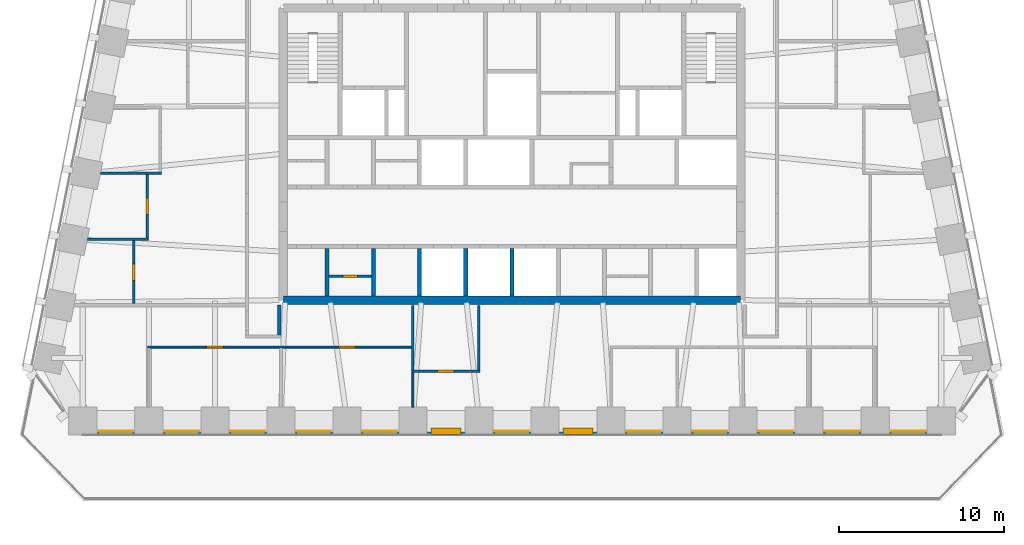
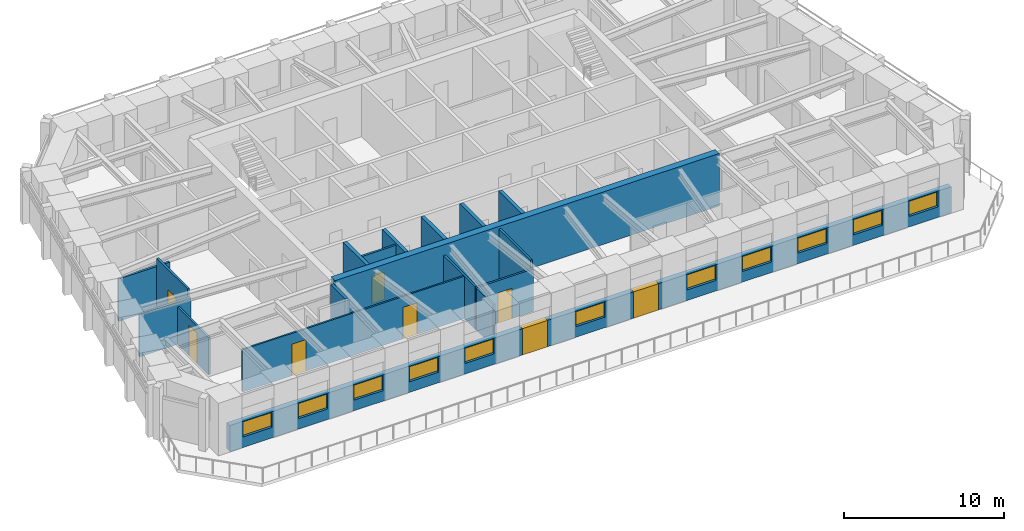
# One storey, part 4 of 10: 18 walls, 11 windows, 8 doors, 19 openings.
"""IFC4 building model written with IfcOpenShell, lengths in metres."""

from ifc_helpers import new_model, si_unit, direction, frame, frame_2d, origin, place, context, subcontext, project, spatial, rectangle, extrude, material, layer, layer_set, type_object, element, fill, save


model = new_model("IFC4")

# Units and contexts
model_context = context("Model", 3, precision=1e-05, world=origin(), true_north=direction((0.0, 1.0)))
body_context = subcontext(model_context, "Body", "Model", "MODEL_VIEW")
ifc_project = project(units=[si_unit("LENGTHUNIT", "METRE"), si_unit("AREAUNIT", "SQUARE_METRE"), si_unit("VOLUMEUNIT", "CUBIC_METRE"), si_unit("PLANEANGLEUNIT", "RADIAN"), si_unit("MASSUNIT", "GRAM", prefix="KILO")], contexts=[model_context])

# Site, building, storey
site_placement = place(None, origin())
site = spatial("IfcSite", under=ifc_project, at=site_placement, CompositionType="ELEMENT")
building_placement = place(site_placement, origin())
building = spatial("IfcBuilding", under=site, at=building_placement, Name="Isbrekke Arena Tower", CompositionType="ELEMENT")
storey_placement = place(building_placement, frame((0.0, 0.0, 296.0)))
storey = spatial("IfcBuildingStorey", under=building, at=storey_placement, Name="L69", CompositionType="ELEMENT", Elevation=296.0)

# Walls
ifc_material_1 = material(Name="Concrete B55 (C55/67)", Category="concrete")
ifc_layer_1 = layer(ifc_material_1, 0.5)
ifc_layer_set_1 = layer_set([ifc_layer_1], Name="CW5 CORE WALL 500")
wall_type_1 = type_object("IfcWallType", Name="CW5 CORE WALL 500", PredefinedType="SHEAR", material=ifc_layer_set_1)
wall_1_placement = place(storey_placement, frame((-13.85009765625, 6.14990234375, 0.0), z_axis=(0.0, 0.0, 1.0), x_axis=(1.0, 0.0, 0.0)))
element("IfcWall", 1, at=wall_1_placement, inside=storey, type_object=wall_type_1, Name="Core wall S L69", PredefinedType="SHEAR", context=body_context, shape_type="SweptSolid", body=[
    extrude(rectangle(XDim=27.7001953125, YDim=0.5, at=frame_2d((13.85009765625, 0.0))), origin(), (0.0, 0.0, 1.0), 4.0),
])
ifc_material_2 = material(Name="Concrete B45 (C45/55)", Category="concrete")
ifc_layer_2 = layer(ifc_material_2, 0.25)
ifc_layer_set_2 = layer_set([ifc_layer_2], Name="CW6 SHAFT WALL 250")
wall_type_2 = type_object("IfcWallType", Name="CW6 SHAFT WALL 250", PredefinedType="SHEAR", material=ifc_layer_set_2)
for number, where, z_axis, x_axis, name in (
    (2, (-11.199951171875, 6.39990234375, 0.0), (0.0, 0.0, 1.0), (0.0, 1.0, 0.0), "Core wall SS01 L69"),
    (3, (-8.39990234375, 6.39990234375, 0.0), (0.0, 0.0, 1.0), (0.0, 1.0, 0.0), "Core wall SS02 L69"),
    (4, (-5.60009765625, 6.39990234375, 0.0), (0.0, 0.0, 1.0), (0.0, 1.0, 0.0), "Core wall SS03 L69"),
    (5, (-2.800048828125, 6.39990234375, 0.0), (0.0, 0.0, 1.0), (0.0, 1.0, 0.0), "Core wall SS04 L69"),
    (6, (0.0, 6.39990234375, 0.0), (0.0, 0.0, 1.0), (0.0, 1.0, 0.0), "Core wall SS05 L69"),
):
    element("IfcWall", number, at=place(storey_placement, frame(where, z_axis=z_axis, x_axis=x_axis)), inside=storey, type_object=wall_type_2, Name=name, PredefinedType="SHEAR", context=body_context, shape_type="SweptSolid", body=[
        extrude(rectangle(XDim=2.875, YDim=0.25, at=frame_2d((1.4375, 0.0))), origin(), (0.0, 0.0, 1.0), 4.0),
    ])

# Wall, openings, doors, windows
ifc_material_3 = material(Name="Copper cladding on insulated framing", Category="metal")
ifc_layer_3 = layer(ifc_material_3, 0.39990234375)
ifc_layer_set_3 = layer_set([ifc_layer_3], Name="EW2 COPPER-CLAD WALL 400")
wall_type_3 = type_object("IfcWallType", Name="EW2 COPPER-CLAD WALL 400", PredefinedType="SOLIDWALL", material=ifc_layer_set_3)
wall_2_placement = place(storey_placement, frame((-26.0, -1.800048828125, 0.0), z_axis=(0.0, 0.0, 1.0), x_axis=(1.0, 0.0, 0.0)))
wall_2 = element("IfcWall", 7, at=wall_2_placement, inside=storey, type_object=wall_type_3, Name="EW2 terrace wall L69", PredefinedType="SOLIDWALL", context=body_context, shape_type="SweptSolid", body=[
    extrude(rectangle(XDim=52.0, YDim=0.39990234375, at=frame_2d((26.0, 0.0))), origin(), (0.0, 0.0, 1.0), 2.0),
])
opening_1_placement = place(wall_2_placement, frame((0.949951171875, 0.0, 0.800048828125)))
opening_1 = element("IfcOpeningElement", 8, at=opening_1_placement, cuts=wall_2, Name="Opening WN1", PredefinedType="OPENING", context=body_context, shape_type="SweptSolid", body=[
    extrude(rectangle(XDim=2.10009765625, YDim=1.14990234375, at=frame_2d((1.050048828125, 0.574951171875))), frame((0.0, 0.21484375, 0.0), z_axis=(0.0, -1.0, 0.0), x_axis=(1.0, 0.0, 0.0)), (0.0, 0.0, 1.0), 0.4296875),
])
opening_2_placement = place(wall_2_placement, frame((4.949951171875, 0.0, 0.800048828125)))
opening_2 = element("IfcOpeningElement", 9, at=opening_2_placement, cuts=wall_2, Name="Opening WN1", PredefinedType="OPENING", context=body_context, shape_type="SweptSolid", body=[
    extrude(rectangle(XDim=2.10009765625, YDim=1.14990234375, at=frame_2d((1.050048828125, 0.574951171875))), frame((0.0, 0.21484375, 0.0), z_axis=(0.0, -1.0, 0.0), x_axis=(1.0, 0.0, 0.0)), (0.0, 0.0, 1.0), 0.4296875),
])
opening_3_placement = place(wall_2_placement, frame((8.949951171875, 0.0, 0.800048828125)))
opening_3 = element("IfcOpeningElement", 10, at=opening_3_placement, cuts=wall_2, Name="Opening WN1", PredefinedType="OPENING", context=body_context, shape_type="SweptSolid", body=[
    extrude(rectangle(XDim=2.10009765625, YDim=1.14990234375, at=frame_2d((1.050048828125, 0.574951171875))), frame((0.0, 0.21484375, 0.0), z_axis=(0.0, -1.0, 0.0), x_axis=(1.0, 0.0, 0.0)), (0.0, 0.0, 1.0), 0.4296875),
])
opening_4_placement = place(wall_2_placement, frame((12.949951171875, 0.0, 0.800048828125)))
opening_4 = element("IfcOpeningElement", 11, at=opening_4_placement, cuts=wall_2, Name="Opening WN1", PredefinedType="OPENING", context=body_context, shape_type="SweptSolid", body=[
    extrude(rectangle(XDim=2.10009765625, YDim=1.14990234375, at=frame_2d((1.050048828125, 0.574951171875))), frame((0.0, 0.21484375, 0.0), z_axis=(0.0, -1.0, 0.0), x_axis=(1.0, 0.0, 0.0)), (0.0, 0.0, 1.0), 0.4296875),
])
opening_5_placement = place(wall_2_placement, frame((16.949951171875, 0.0, 0.800048828125)))
opening_5 = element("IfcOpeningElement", 12, at=opening_5_placement, cuts=wall_2, Name="Opening WN1", PredefinedType="OPENING", context=body_context, shape_type="SweptSolid", body=[
    extrude(rectangle(XDim=2.10009765625, YDim=1.14990234375, at=frame_2d((1.050048828125, 0.574951171875))), frame((0.0, 0.21484375, 0.0), z_axis=(0.0, -1.0, 0.0), x_axis=(1.0, 0.0, 0.0)), (0.0, 0.0, 1.0), 0.4296875),
])
opening_6_placement = place(wall_2_placement, frame((21.10009765625, 0.0, 0.0)))
opening_6 = element("IfcOpeningElement", 13, at=opening_6_placement, cuts=wall_2, Name="Opening DT1", PredefinedType="OPENING", context=body_context, shape_type="SweptSolid", body=[
    extrude(rectangle(XDim=1.800048828125, YDim=2.0, at=frame_2d((0.89990234375, 1.0))), frame((0.0, 0.21484375, 0.0), z_axis=(0.0, -1.0, 0.0), x_axis=(1.0, 0.0, 0.0)), (0.0, 0.0, 1.0), 0.4296875),
])
opening_7_placement = place(wall_2_placement, frame((24.949951171875, 0.0, 0.800048828125)))
opening_7 = element("IfcOpeningElement", 14, at=opening_7_placement, cuts=wall_2, Name="Opening WN1", PredefinedType="OPENING", context=body_context, shape_type="SweptSolid", body=[
    extrude(rectangle(XDim=2.10009765625, YDim=1.14990234375, at=frame_2d((1.050048828125, 0.574951171875))), frame((0.0, 0.21484375, 0.0), z_axis=(0.0, -1.0, 0.0), x_axis=(1.0, 0.0, 0.0)), (0.0, 0.0, 1.0), 0.4296875),
])
opening_8_placement = place(wall_2_placement, frame((29.10009765625, 0.0, 0.0)))
opening_8 = element("IfcOpeningElement", 15, at=opening_8_placement, cuts=wall_2, Name="Opening DT1", PredefinedType="OPENING", context=body_context, shape_type="SweptSolid", body=[
    extrude(rectangle(XDim=1.800048828125, YDim=2.0, at=frame_2d((0.89990234375, 1.0))), frame((0.0, 0.21484375, 0.0), z_axis=(0.0, -1.0, 0.0), x_axis=(1.0, 0.0, 0.0)), (0.0, 0.0, 1.0), 0.4296875),
])
opening_9_placement = place(wall_2_placement, frame((32.949951171875, 0.0, 0.800048828125)))
opening_9 = element("IfcOpeningElement", 16, at=opening_9_placement, cuts=wall_2, Name="Opening WN1", PredefinedType="OPENING", context=body_context, shape_type="SweptSolid", body=[
    extrude(rectangle(XDim=2.10009765625, YDim=1.14990234375, at=frame_2d((1.050048828125, 0.574951171875))), frame((0.0, 0.21484375, 0.0), z_axis=(0.0, -1.0, 0.0), x_axis=(1.0, 0.0, 0.0)), (0.0, 0.0, 1.0), 0.4296875),
])
opening_10_placement = place(wall_2_placement, frame((36.949951171875, 0.0, 0.800048828125)))
opening_10 = element("IfcOpeningElement", 17, at=opening_10_placement, cuts=wall_2, Name="Opening WN1", PredefinedType="OPENING", context=body_context, shape_type="SweptSolid", body=[
    extrude(rectangle(XDim=2.10009765625, YDim=1.14990234375, at=frame_2d((1.050048828125, 0.574951171875))), frame((0.0, 0.21484375, 0.0), z_axis=(0.0, -1.0, 0.0), x_axis=(1.0, 0.0, 0.0)), (0.0, 0.0, 1.0), 0.4296875),
])
opening_11_placement = place(wall_2_placement, frame((40.949951171875, 0.0, 0.800048828125)))
opening_11 = element("IfcOpeningElement", 18, at=opening_11_placement, cuts=wall_2, Name="Opening WN1", PredefinedType="OPENING", context=body_context, shape_type="SweptSolid", body=[
    extrude(rectangle(XDim=2.10009765625, YDim=1.14990234375, at=frame_2d((1.050048828125, 0.574951171875))), frame((0.0, 0.21484375, 0.0), z_axis=(0.0, -1.0, 0.0), x_axis=(1.0, 0.0, 0.0)), (0.0, 0.0, 1.0), 0.4296875),
])
opening_12_placement = place(wall_2_placement, frame((44.949951171875, 0.0, 0.800048828125)))
opening_12 = element("IfcOpeningElement", 19, at=opening_12_placement, cuts=wall_2, Name="Opening WN1", PredefinedType="OPENING", context=body_context, shape_type="SweptSolid", body=[
    extrude(rectangle(XDim=2.10009765625, YDim=1.14990234375, at=frame_2d((1.050048828125, 0.574951171875))), frame((0.0, 0.21484375, 0.0), z_axis=(0.0, -1.0, 0.0), x_axis=(1.0, 0.0, 0.0)), (0.0, 0.0, 1.0), 0.4296875),
])
opening_13_placement = place(wall_2_placement, frame((48.949951171875, 0.0, 0.800048828125)))
opening_13 = element("IfcOpeningElement", 20, at=opening_13_placement, cuts=wall_2, Name="Opening WN1", PredefinedType="OPENING", context=body_context, shape_type="SweptSolid", body=[
    extrude(rectangle(XDim=2.10009765625, YDim=1.14990234375, at=frame_2d((1.050048828125, 0.574951171875))), frame((0.0, 0.21484375, 0.0), z_axis=(0.0, -1.0, 0.0), x_axis=(1.0, 0.0, 0.0)), (0.0, 0.0, 1.0), 0.4296875),
])
ifc_material_4 = material(Name="Timber-aluminium glazed door", Category="wood")
door_type_1 = type_object("IfcDoorType", Name="DT1 TERRACE DOOR 1800 x 2000", OperationType="DOUBLE_DOOR_SINGLE_SWING", PredefinedType="DOOR", material=ifc_material_4)
door_1_placement = place(opening_6_placement, origin())
door_1 = element("IfcDoor", 21, at=door_1_placement, inside=storey, type_object=door_type_1, Name="DT1 terrace door L69-6", OperationType="DOUBLE_DOOR_SINGLE_SWING", OverallHeight=2.0, OverallWidth=1.800048828125, PredefinedType="DOOR", context=body_context, shape_type="SweptSolid", body=[
    extrude(rectangle(XDim=1.800048828125, YDim=2.0, at=frame_2d((0.89990234375, 1.0))), frame((0.0, 0.19970703125, 0.0), z_axis=(0.0, -1.0, 0.0), x_axis=(1.0, 0.0, 0.0)), (0.0, 0.0, 1.0), 0.3994140625),
])
fill(opening_6, door_1)
door_2_placement = place(opening_8_placement, origin())
door_2 = element("IfcDoor", 22, at=door_2_placement, inside=storey, type_object=door_type_1, Name="DT1 terrace door L69-8", OperationType="DOUBLE_DOOR_SINGLE_SWING", OverallHeight=2.0, OverallWidth=1.800048828125, PredefinedType="DOOR", context=body_context, shape_type="SweptSolid", body=[
    extrude(rectangle(XDim=1.800048828125, YDim=2.0, at=frame_2d((0.89990234375, 1.0))), frame((0.0, 0.19970703125, 0.0), z_axis=(0.0, -1.0, 0.0), x_axis=(1.0, 0.0, 0.0)), (0.0, 0.0, 1.0), 0.3994140625),
])
fill(opening_8, door_2)
ifc_material_5 = material(Name="Timber-aluminium window, triple glazed", Category="wood")
window_type = type_object("IfcWindowType", Name="WN1 TERRACE WINDOW 2100 x 1150", PartitioningType="SINGLE_PANEL", PredefinedType="WINDOW", material=ifc_material_5)
window_1_placement = place(opening_1_placement, origin())
window_1 = element("IfcWindow", 23, at=window_1_placement, inside=storey, type_object=window_type, Name="WN1 terrace window L69-1", OverallHeight=1.14990234375, OverallWidth=2.10009765625, PartitioningType="SINGLE_PANEL", PredefinedType="WINDOW", context=body_context, shape_type="SweptSolid", body=[
    extrude(rectangle(XDim=2.10009765625, YDim=1.14990234375, at=frame_2d((1.050048828125, 0.574951171875))), frame((0.0, 0.030029296875, 0.0), z_axis=(0.0, -1.0, 0.0), x_axis=(1.0, 0.0, 0.0)), (0.0, 0.0, 1.0), 0.06005859375),
])
fill(opening_1, window_1)
window_2_placement = place(opening_2_placement, origin())
window_2 = element("IfcWindow", 24, at=window_2_placement, inside=storey, type_object=window_type, Name="WN1 terrace window L69-2", OverallHeight=1.14990234375, OverallWidth=2.10009765625, PartitioningType="SINGLE_PANEL", PredefinedType="WINDOW", context=body_context, shape_type="SweptSolid", body=[
    extrude(rectangle(XDim=2.10009765625, YDim=1.14990234375, at=frame_2d((1.050048828125, 0.574951171875))), frame((0.0, 0.030029296875, 0.0), z_axis=(0.0, -1.0, 0.0), x_axis=(1.0, 0.0, 0.0)), (0.0, 0.0, 1.0), 0.06005859375),
])
fill(opening_2, window_2)
window_3_placement = place(opening_3_placement, origin())
window_3 = element("IfcWindow", 25, at=window_3_placement, inside=storey, type_object=window_type, Name="WN1 terrace window L69-3", OverallHeight=1.14990234375, OverallWidth=2.10009765625, PartitioningType="SINGLE_PANEL", PredefinedType="WINDOW", context=body_context, shape_type="SweptSolid", body=[
    extrude(rectangle(XDim=2.10009765625, YDim=1.14990234375, at=frame_2d((1.050048828125, 0.574951171875))), frame((0.0, 0.030029296875, 0.0), z_axis=(0.0, -1.0, 0.0), x_axis=(1.0, 0.0, 0.0)), (0.0, 0.0, 1.0), 0.06005859375),
])
fill(opening_3, window_3)
window_4_placement = place(opening_4_placement, origin())
window_4 = element("IfcWindow", 26, at=window_4_placement, inside=storey, type_object=window_type, Name="WN1 terrace window L69-4", OverallHeight=1.14990234375, OverallWidth=2.10009765625, PartitioningType="SINGLE_PANEL", PredefinedType="WINDOW", context=body_context, shape_type="SweptSolid", body=[
    extrude(rectangle(XDim=2.10009765625, YDim=1.14990234375, at=frame_2d((1.050048828125, 0.574951171875))), frame((0.0, 0.030029296875, 0.0), z_axis=(0.0, -1.0, 0.0), x_axis=(1.0, 0.0, 0.0)), (0.0, 0.0, 1.0), 0.06005859375),
])
fill(opening_4, window_4)
window_5_placement = place(opening_5_placement, origin())
window_5 = element("IfcWindow", 27, at=window_5_placement, inside=storey, type_object=window_type, Name="WN1 terrace window L69-5", OverallHeight=1.14990234375, OverallWidth=2.10009765625, PartitioningType="SINGLE_PANEL", PredefinedType="WINDOW", context=body_context, shape_type="SweptSolid", body=[
    extrude(rectangle(XDim=2.10009765625, YDim=1.14990234375, at=frame_2d((1.050048828125, 0.574951171875))), frame((0.0, 0.030029296875, 0.0), z_axis=(0.0, -1.0, 0.0), x_axis=(1.0, 0.0, 0.0)), (0.0, 0.0, 1.0), 0.06005859375),
])
fill(opening_5, window_5)
window_6_placement = place(opening_7_placement, origin())
window_6 = element("IfcWindow", 28, at=window_6_placement, inside=storey, type_object=window_type, Name="WN1 terrace window L69-7", OverallHeight=1.14990234375, OverallWidth=2.10009765625, PartitioningType="SINGLE_PANEL", PredefinedType="WINDOW", context=body_context, shape_type="SweptSolid", body=[
    extrude(rectangle(XDim=2.10009765625, YDim=1.14990234375, at=frame_2d((1.050048828125, 0.574951171875))), frame((0.0, 0.030029296875, 0.0), z_axis=(0.0, -1.0, 0.0), x_axis=(1.0, 0.0, 0.0)), (0.0, 0.0, 1.0), 0.06005859375),
])
fill(opening_7, window_6)
window_7_placement = place(opening_9_placement, origin())
window_7 = element("IfcWindow", 29, at=window_7_placement, inside=storey, type_object=window_type, Name="WN1 terrace window L69-9", OverallHeight=1.14990234375, OverallWidth=2.10009765625, PartitioningType="SINGLE_PANEL", PredefinedType="WINDOW", context=body_context, shape_type="SweptSolid", body=[
    extrude(rectangle(XDim=2.10009765625, YDim=1.14990234375, at=frame_2d((1.050048828125, 0.574951171875))), frame((0.0, 0.030029296875, 0.0), z_axis=(0.0, -1.0, 0.0), x_axis=(1.0, 0.0, 0.0)), (0.0, 0.0, 1.0), 0.06005859375),
])
fill(opening_9, window_7)
window_8_placement = place(opening_10_placement, origin())
window_8 = element("IfcWindow", 30, at=window_8_placement, inside=storey, type_object=window_type, Name="WN1 terrace window L69-10", OverallHeight=1.14990234375, OverallWidth=2.10009765625, PartitioningType="SINGLE_PANEL", PredefinedType="WINDOW", context=body_context, shape_type="SweptSolid", body=[
    extrude(rectangle(XDim=2.10009765625, YDim=1.14990234375, at=frame_2d((1.050048828125, 0.574951171875))), frame((0.0, 0.030029296875, 0.0), z_axis=(0.0, -1.0, 0.0), x_axis=(1.0, 0.0, 0.0)), (0.0, 0.0, 1.0), 0.06005859375),
])
fill(opening_10, window_8)
window_9_placement = place(opening_11_placement, origin())
window_9 = element("IfcWindow", 31, at=window_9_placement, inside=storey, type_object=window_type, Name="WN1 terrace window L69-11", OverallHeight=1.14990234375, OverallWidth=2.10009765625, PartitioningType="SINGLE_PANEL", PredefinedType="WINDOW", context=body_context, shape_type="SweptSolid", body=[
    extrude(rectangle(XDim=2.10009765625, YDim=1.14990234375, at=frame_2d((1.050048828125, 0.574951171875))), frame((0.0, 0.030029296875, 0.0), z_axis=(0.0, -1.0, 0.0), x_axis=(1.0, 0.0, 0.0)), (0.0, 0.0, 1.0), 0.06005859375),
])
fill(opening_11, window_9)
window_10_placement = place(opening_12_placement, origin())
window_10 = element("IfcWindow", 32, at=window_10_placement, inside=storey, type_object=window_type, Name="WN1 terrace window L69-12", OverallHeight=1.14990234375, OverallWidth=2.10009765625, PartitioningType="SINGLE_PANEL", PredefinedType="WINDOW", context=body_context, shape_type="SweptSolid", body=[
    extrude(rectangle(XDim=2.10009765625, YDim=1.14990234375, at=frame_2d((1.050048828125, 0.574951171875))), frame((0.0, 0.030029296875, 0.0), z_axis=(0.0, -1.0, 0.0), x_axis=(1.0, 0.0, 0.0)), (0.0, 0.0, 1.0), 0.06005859375),
])
fill(opening_12, window_10)
window_11_placement = place(opening_13_placement, origin())
window_11 = element("IfcWindow", 33, at=window_11_placement, inside=storey, type_object=window_type, Name="WN1 terrace window L69-13", OverallHeight=1.14990234375, OverallWidth=2.10009765625, PartitioningType="SINGLE_PANEL", PredefinedType="WINDOW", context=body_context, shape_type="SweptSolid", body=[
    extrude(rectangle(XDim=2.10009765625, YDim=1.14990234375, at=frame_2d((1.050048828125, 0.574951171875))), frame((0.0, 0.030029296875, 0.0), z_axis=(0.0, -1.0, 0.0), x_axis=(1.0, 0.0, 0.0)), (0.0, 0.0, 1.0), 0.06005859375),
])
fill(opening_13, window_11)

# Wall, opening, door
ifc_material_6 = material(Name="Gypsum board partition on steel studs", Category="steel")
ifc_layer_4 = layer(ifc_material_6, 0.14990234375)
ifc_layer_set_4 = layer_set([ifc_layer_4], Name="IW1 PARTITION 150")
wall_type_4 = type_object("IfcWallType", Name="IW1 PARTITION 150", PredefinedType="PARTITIONING", material=ifc_layer_set_4)
wall_3_placement = place(storey_placement, frame((-6.074951171875, 1.840087890625, 0.0), z_axis=(0.0, 0.0, 1.0), x_axis=(1.0, 0.0, 0.0)))
wall_3 = element("IfcWall", 34, at=wall_3_placement, inside=storey, type_object=wall_type_4, Name="IW1 partition 150 L69", PredefinedType="PARTITIONING", context=body_context, shape_type="SweptSolid", body=[
    extrude(rectangle(XDim=4.14990234375, YDim=0.14990234375, at=frame_2d((2.074951171875, 0.0))), origin(), (0.0, 0.0, 1.0), 3.22998046875),
])
opening_14_placement = place(wall_3_placement, frame((1.574951171875, 0.0, 0.0)))
opening_14 = element("IfcOpeningElement", 35, at=opening_14_placement, cuts=wall_3, Name="Opening D10", PredefinedType="OPENING", context=body_context, shape_type="SweptSolid", body=[
    extrude(rectangle(XDim=1.0, YDim=2.300048828125, at=frame_2d((0.5, 1.14990234375))), frame((0.0, 0.08984375, 0.0), z_axis=(0.0, -1.0, 0.0), x_axis=(1.0, 0.0, 0.0)), (0.0, 0.0, 1.0), 0.1796875),
])
ifc_material_7 = material(Name="Timber door", Category="wood")
door_type_2 = type_object("IfcDoorType", Name="D10 OFFICE DOOR 1000 x 2300", OperationType="SINGLE_SWING_LEFT", PredefinedType="DOOR", material=ifc_material_7)
door_3_placement = place(opening_14_placement, origin())
door_3 = element("IfcDoor", 36, at=door_3_placement, inside=storey, type_object=door_type_2, Name="D10 pantry door L69", OperationType="SINGLE_SWING_LEFT", OverallHeight=2.300048828125, OverallWidth=1.0, PredefinedType="DOOR", context=body_context, shape_type="SweptSolid", body=[
    extrude(rectangle(XDim=1.0, YDim=2.300048828125, at=frame_2d((0.5, 1.14990234375))), frame((0.0, 0.07470703125, 0.0), z_axis=(0.0, -1.0, 0.0), x_axis=(1.0, 0.0, 0.0)), (0.0, 0.0, 1.0), 0.1494140625),
])
fill(opening_14, door_3)

# Walls
wall_4_placement = place(storey_placement, frame((-25.723876953125, 9.840087890625, 0.0), z_axis=(0.0, 0.0, 1.0), x_axis=(1.0, 0.0, 0.0)))
element("IfcWall", 37, at=wall_4_placement, inside=storey, type_object=wall_type_4, Name="IW1 partition 150 L69", PredefinedType="PARTITIONING", context=body_context, shape_type="SweptSolid", body=[
    extrude(rectangle(XDim=3.698974609375, YDim=0.14990234375, at=frame_2d((1.849609375, 0.0))), origin(), (0.0, 0.0, 1.0), 3.22998046875),
])
wall_5_placement = place(storey_placement, frame((-24.923828125, 13.840087890625, 0.0), z_axis=(0.0, 0.0, 1.0), x_axis=(1.0, 0.0, 0.0)))
element("IfcWall", 38, at=wall_5_placement, inside=storey, type_object=wall_type_4, Name="IW1 partition 150 L69", PredefinedType="PARTITIONING", context=body_context, shape_type="SweptSolid", body=[
    extrude(rectangle(XDim=3.69873046875, YDim=0.14990234375, at=frame_2d((1.849365234375, 0.0))), origin(), (0.0, 0.0, 1.0), 3.22998046875),
])

# Wall, opening, door
wall_6_placement = place(storey_placement, frame((-22.89990234375, 5.93994140625, 0.0), z_axis=(0.0, 0.0, 1.0), x_axis=(0.0, 1.0, 0.0)))
wall_6 = element("IfcWall", 39, at=wall_6_placement, inside=storey, type_object=wall_type_4, Name="IW1 partition 150 L69", PredefinedType="PARTITIONING", context=body_context, shape_type="SweptSolid", body=[
    extrude(rectangle(XDim=3.824951171875, YDim=0.14990234375, at=frame_2d((1.91259765625, 0.0))), origin(), (0.0, 0.0, 1.0), 2.842041015625),
])
opening_15_placement = place(wall_6_placement, frame((1.39990234375, 0.0, 0.0)))
opening_15 = element("IfcOpeningElement", 40, at=opening_15_placement, cuts=wall_6, Name="Opening D10", PredefinedType="OPENING", context=body_context, shape_type="SweptSolid", body=[
    extrude(rectangle(XDim=1.0, YDim=2.300048828125, at=frame_2d((0.5, 1.14990234375))), frame((0.0, 0.08984375, 0.0), z_axis=(0.0, -1.0, 0.0), x_axis=(1.0, 0.0, 0.0)), (0.0, 0.0, 1.0), 0.1796875),
])
door_4_placement = place(opening_15_placement, origin())
door_4 = element("IfcDoor", 41, at=door_4_placement, inside=storey, type_object=door_type_2, Name="D10 office door L69", OperationType="SINGLE_SWING_LEFT", OverallHeight=2.300048828125, OverallWidth=1.0, PredefinedType="DOOR", context=body_context, shape_type="SweptSolid", body=[
    extrude(rectangle(XDim=1.0, YDim=2.300048828125, at=frame_2d((0.5, 1.14990234375))), frame((0.0, 0.07470703125, 0.0), z_axis=(0.0, -1.0, 0.0), x_axis=(1.0, 0.0, 0.0)), (0.0, 0.0, 1.0), 0.1494140625),
])
fill(opening_15, door_4)

wall_7_placement = place(storey_placement, frame((-22.10009765625, 9.9150390625, 0.0), z_axis=(0.0, 0.0, 1.0), x_axis=(0.0, 1.0, 0.0)))
wall_7 = element("IfcWall", 42, at=wall_7_placement, inside=storey, type_object=wall_type_4, Name="IW1 partition 150 L69", PredefinedType="PARTITIONING", context=body_context, shape_type="SweptSolid", body=[
    extrude(rectangle(XDim=3.849853515625, YDim=0.14990234375, at=frame_2d((1.9248046875, 0.0))), origin(), (0.0, 0.0, 1.0), 3.85009765625),
])
opening_16_placement = place(wall_7_placement, frame((1.425048828125, 0.0, 0.0)))
opening_16 = element("IfcOpeningElement", 43, at=opening_16_placement, cuts=wall_7, Name="Opening D10", PredefinedType="OPENING", context=body_context, shape_type="SweptSolid", body=[
    extrude(rectangle(XDim=1.0, YDim=2.300048828125, at=frame_2d((0.5, 1.14990234375))), frame((0.0, 0.08984375, 0.0), z_axis=(0.0, -1.0, 0.0), x_axis=(1.0, 0.0, 0.0)), (0.0, 0.0, 1.0), 0.1796875),
])
door_5_placement = place(opening_16_placement, origin())
door_5 = element("IfcDoor", 44, at=door_5_placement, inside=storey, type_object=door_type_2, Name="D10 office door L69", OperationType="SINGLE_SWING_LEFT", OverallHeight=2.300048828125, OverallWidth=1.0, PredefinedType="DOOR", context=body_context, shape_type="SweptSolid", body=[
    extrude(rectangle(XDim=1.0, YDim=2.300048828125, at=frame_2d((0.5, 1.14990234375))), frame((0.0, 0.07470703125, 0.0), z_axis=(0.0, -1.0, 0.0), x_axis=(1.0, 0.0, 0.0)), (0.0, 0.0, 1.0), 0.1494140625),
])
fill(opening_16, door_5)

# Walls
wall_8_placement = place(storey_placement, frame((-6.0, 1.9150390625, 0.0), z_axis=(0.0, 0.0, 1.0), x_axis=(0.0, 1.0, 0.0)))
element("IfcWall", 45, at=wall_8_placement, inside=storey, type_object=wall_type_4, Name="IW1 partition 150 L69", PredefinedType="PARTITIONING", context=body_context, shape_type="SweptSolid", body=[
    extrude(rectangle(XDim=3.925048828125, YDim=0.14990234375, at=frame_2d((1.96240234375, 0.0))), origin(), (0.0, 0.0, 1.0), 3.22998046875),
])
wall_9_placement = place(storey_placement, frame((-2.0, 1.9150390625, 0.0), z_axis=(0.0, 0.0, 1.0), x_axis=(0.0, 1.0, 0.0)))
element("IfcWall", 46, at=wall_9_placement, inside=storey, type_object=wall_type_4, Name="IW1 partition 150 L69", PredefinedType="PARTITIONING", context=body_context, shape_type="SweptSolid", body=[
    extrude(rectangle(XDim=3.925048828125, YDim=0.14990234375, at=frame_2d((1.96240234375, 0.0))), origin(), (0.0, 0.0, 1.0), 3.85009765625),
])

# Wall, openings, doors
ifc_material_8 = material(Name="Frameless glazed partition, laminated acoustic glass", Category="glass")
ifc_layer_5 = layer(ifc_material_8, 0.1201171875)
ifc_layer_set_5 = layer_set([ifc_layer_5], Name="IW2 GLAZED PARTITION 120")
wall_type_5 = type_object("IfcWallType", Name="IW2 GLAZED PARTITION 120", PredefinedType="PARTITIONING", material=ifc_layer_set_5)
wall_10_placement = place(storey_placement, frame((-22.06005859375, 3.300048828125, 0.0), z_axis=(0.0, 0.0, 1.0), x_axis=(1.0, 0.0, 0.0)))
wall_10 = element("IfcWall", 47, at=wall_10_placement, inside=storey, type_object=wall_type_5, Name="IW2 glazed partition 120 L69", PredefinedType="PARTITIONING", context=body_context, shape_type="SweptSolid", body=[
    extrude(rectangle(XDim=15.985107421875, YDim=0.1201171875, at=frame_2d((7.99267578125, 0.0))), origin(), (0.0, 0.0, 1.0), 3.22998046875),
])
opening_17_placement = place(wall_10_placement, frame((3.56005859375, 0.0, 0.0)))
opening_17 = element("IfcOpeningElement", 48, at=opening_17_placement, cuts=wall_10, Name="Opening D11", PredefinedType="OPENING", context=body_context, shape_type="SweptSolid", body=[
    extrude(rectangle(XDim=1.0, YDim=2.39990234375, at=frame_2d((0.5, 1.199951171875))), frame((0.0, 0.074951171875, 0.0), z_axis=(0.0, -1.0, 0.0), x_axis=(1.0, 0.0, 0.0)), (0.0, 0.0, 1.0), 0.14990234375),
])
opening_18_placement = place(wall_10_placement, frame((11.56005859375, 0.0, 0.0)))
opening_18 = element("IfcOpeningElement", 49, at=opening_18_placement, cuts=wall_10, Name="Opening D11", PredefinedType="OPENING", context=body_context, shape_type="SweptSolid", body=[
    extrude(rectangle(XDim=1.0, YDim=2.39990234375, at=frame_2d((0.5, 1.199951171875))), frame((0.0, 0.074951171875, 0.0), z_axis=(0.0, -1.0, 0.0), x_axis=(1.0, 0.0, 0.0)), (0.0, 0.0, 1.0), 0.14990234375),
])
ifc_material_9 = material(Name="Frameless glazed door", Category="glass")
door_type_3 = type_object("IfcDoorType", Name="D11 GLAZED MEETING ROOM DOOR 1000 x 2400", OperationType="SINGLE_SWING_RIGHT", PredefinedType="DOOR", material=ifc_material_9)
door_6_placement = place(opening_17_placement, origin())
door_6 = element("IfcDoor", 50, at=door_6_placement, inside=storey, type_object=door_type_3, Name="D11 meeting room door L69", OperationType="SINGLE_SWING_RIGHT", OverallHeight=2.39990234375, OverallWidth=1.0, PredefinedType="DOOR", context=body_context, shape_type="SweptSolid", body=[
    extrude(rectangle(XDim=1.0, YDim=2.39990234375, at=frame_2d((0.5, 1.199951171875))), frame((0.0, 0.059814453125, 0.0), z_axis=(0.0, -1.0, 0.0), x_axis=(1.0, 0.0, 0.0)), (0.0, 0.0, 1.0), 0.11962890625),
])
fill(opening_17, door_6)
door_7_placement = place(opening_18_placement, origin())
door_7 = element("IfcDoor", 51, at=door_7_placement, inside=storey, type_object=door_type_3, Name="D11 meeting room door L69", OperationType="SINGLE_SWING_RIGHT", OverallHeight=2.39990234375, OverallWidth=1.0, PredefinedType="DOOR", context=body_context, shape_type="SweptSolid", body=[
    extrude(rectangle(XDim=1.0, YDim=2.39990234375, at=frame_2d((0.5, 1.199951171875))), frame((0.0, 0.059814453125, 0.0), z_axis=(0.0, -1.0, 0.0), x_axis=(1.0, 0.0, 0.0)), (0.0, 0.0, 1.0), 0.11962890625),
])
fill(opening_18, door_7)

# Walls
wall_11_placement = place(storey_placement, frame((-6.0, -0.324951171875, 0.0), z_axis=(0.0, 0.0, 1.0), x_axis=(0.0, 1.0, 0.0)))
element("IfcWall", 52, at=wall_11_placement, inside=storey, type_object=wall_type_5, Name="IW2 glazed partition 120 L69", PredefinedType="PARTITIONING", context=body_context, shape_type="SweptSolid", body=[
    extrude(rectangle(XDim=2.08984375, YDim=0.1201171875, at=frame_2d((1.044921875, 0.0))), origin(), (0.0, 0.0, 1.0), 3.22998046875),
])
ifc_material_10 = material(Name="Gypsum board fire-cell wall on steel studs, two layers each side", Category="steel")
ifc_layer_6 = layer(ifc_material_10, 0.199951171875)
ifc_layer_set_6 = layer_set([ifc_layer_6], Name="IW3 FIRE-CELL WALL 200")
wall_type_6 = type_object("IfcWallType", Name="IW3 FIRE-CELL WALL 200", PredefinedType="PARTITIONING", material=ifc_layer_set_6)
wall_12_placement = place(storey_placement, frame((-14.10009765625, 4.050048828125, 0.0), z_axis=(0.0, 0.0, 1.0), x_axis=(0.0, 1.0, 0.0)))
element("IfcWall", 53, at=wall_12_placement, inside=storey, type_object=wall_type_6, Name="IW3 fire-cell wall 200 L69", PredefinedType="PARTITIONING", context=body_context, shape_type="SweptSolid", body=[
    extrude(rectangle(XDim=1.820068359375, YDim=0.199951171875, at=frame_2d((0.91015625, 0.0))), origin(), (0.0, 0.0, 1.0), 3.85009765625),
])

# Wall, opening, door
ifc_material_11 = material(Name="Gypsum board fire-rated partition on steel studs, two layers each side", Category="steel")
ifc_layer_7 = layer(ifc_material_11, 0.14990234375)
ifc_layer_set_7 = layer_set([ifc_layer_7], Name="IW5 FIRE-RATED PARTITION 150")
wall_type_7 = type_object("IfcWallType", Name="IW5 FIRE-RATED PARTITION 150", PredefinedType="PARTITIONING", material=ifc_layer_set_7)
wall_13_placement = place(storey_placement, frame((-11.074951171875, 7.60009765625, 0.0), z_axis=(0.0, 0.0, 1.0), x_axis=(1.0, 0.0, 0.0)))
wall_13 = element("IfcWall", 54, at=wall_13_placement, inside=storey, type_object=wall_type_7, Name="IW5 fire-rated partition L69 core service rooms 5", PredefinedType="PARTITIONING", context=body_context, shape_type="SweptSolid", body=[
    extrude(rectangle(XDim=2.550048828125, YDim=0.14990234375, at=frame_2d((1.27490234375, 0.0))), origin(), (0.0, 0.0, 1.0), 3.85009765625),
])
opening_19_placement = place(wall_13_placement, frame((0.824951171875, 0.0, 0.0)))
opening_19 = element("IfcOpeningElement", 55, at=opening_19_placement, cuts=wall_13, Name="Opening D5", PredefinedType="OPENING", context=body_context, shape_type="SweptSolid", body=[
    extrude(rectangle(XDim=0.89990234375, YDim=2.10009765625, at=frame_2d((0.449951171875, 1.050048828125))), frame((0.0, 0.08984375, 0.0), z_axis=(0.0, -1.0, 0.0), x_axis=(1.0, 0.0, 0.0)), (0.0, 0.0, 1.0), 0.1796875),
])
ifc_material_12 = material(Name="Steel fire door", Category="steel")
door_type_4 = type_object("IfcDoorType", Name="D5 SERVICE DOOR 900 x 2100", OperationType="SINGLE_SWING_LEFT", PredefinedType="DOOR", material=ifc_material_12)
door_8_placement = place(opening_19_placement, origin())
door_8 = element("IfcDoor", 56, at=door_8_placement, inside=storey, type_object=door_type_4, Name="D5 archive door L69", OperationType="SINGLE_SWING_LEFT", OverallHeight=2.10009765625, OverallWidth=0.89990234375, PredefinedType="DOOR", context=body_context, shape_type="SweptSolid", body=[
    extrude(rectangle(XDim=0.89990234375, YDim=2.10009765625, at=frame_2d((0.449951171875, 1.050048828125))), frame((0.0, 0.07470703125, 0.0), z_axis=(0.0, -1.0, 0.0), x_axis=(1.0, 0.0, 0.0)), (0.0, 0.0, 1.0), 0.1494140625),
])
fill(opening_19, door_8)

save(model, "model.ifc")
